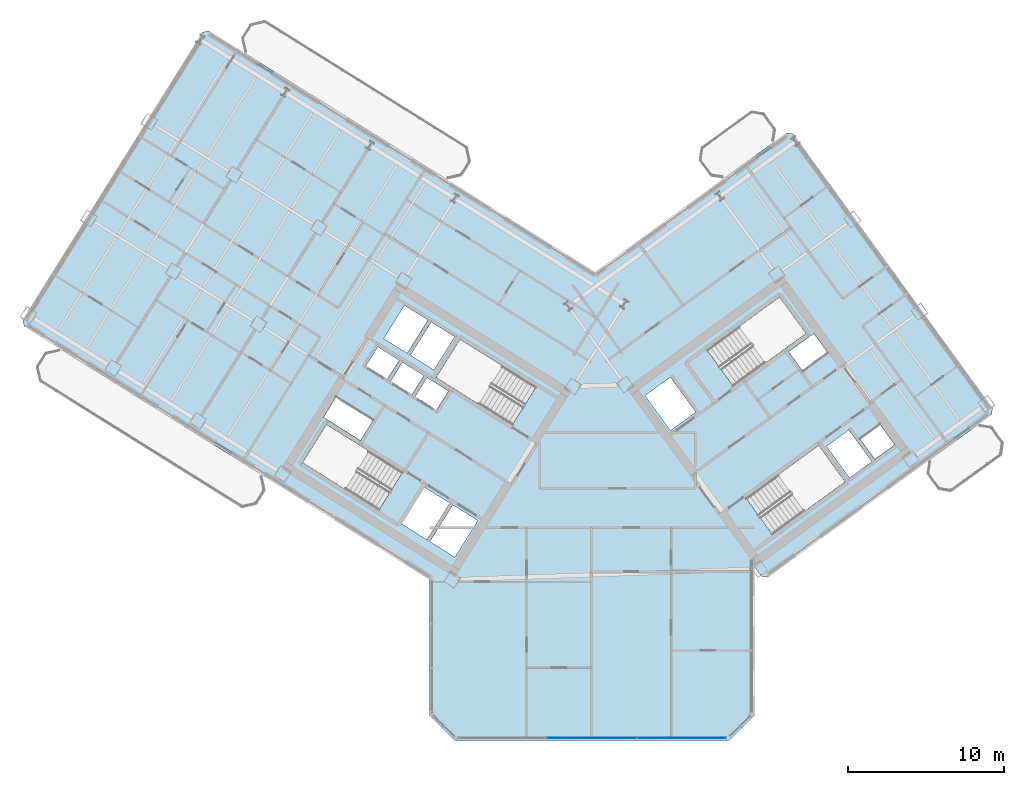
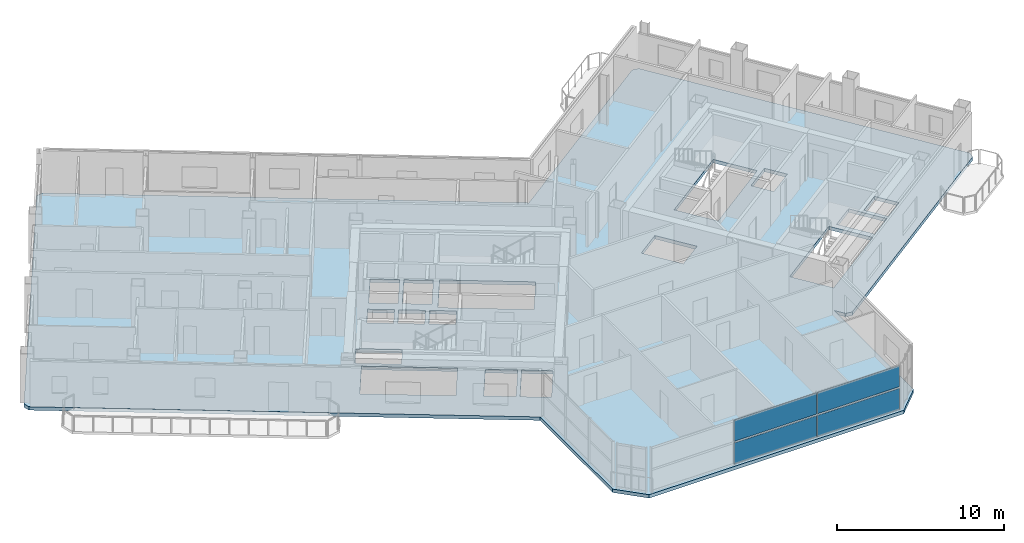
# One storey, part 9 of 21: 4 plates, 1 slab, 1 element without a shape of its own.
"""IFC4 building model written with IfcOpenShell, lengths in metres."""

from ifc_helpers import new_model, si_unit, direction, frame, origin, origin_2d, place, context, subcontext, project, spatial, polyline, rectangle, outline, extrude, source, transform, mapped, material, layer, layer_set, type_object, element, aggregate, save


model = new_model("IFC4")

# Units and contexts
model_context = context("Model", 3, precision=1e-05, world=origin(), true_north=direction((0.0, 1.0)))
body_context = subcontext(model_context, "Body", "Model", "MODEL_VIEW")
ifc_project = project(units=[si_unit("LENGTHUNIT", "METRE"), si_unit("AREAUNIT", "SQUARE_METRE"), si_unit("VOLUMEUNIT", "CUBIC_METRE"), si_unit("PLANEANGLEUNIT", "RADIAN"), si_unit("MASSUNIT", "GRAM", prefix="KILO")], contexts=[model_context])

# Site, building, storey
site_placement = place(None, origin())
site = spatial("IfcSite", under=ifc_project, at=site_placement, CompositionType="ELEMENT")
building_placement = place(site_placement, origin())
building = spatial("IfcBuilding", under=site, at=building_placement, Name="Tlacorven Tower", CompositionType="ELEMENT")
storey_placement = place(building_placement, frame((0.0, 0.0, 191.39990234375)))
storey = spatial("IfcBuildingStorey", under=building, at=storey_placement, Name="L48", CompositionType="ELEMENT", Elevation=191.39990234375)

# Slab
ifc_material_1 = material(Name="Concrete C40/50", Category="concrete")
ifc_layer_1 = layer(ifc_material_1, 0.25)
ifc_layer_set_1 = layer_set([ifc_layer_1], Name="Concrete C40/50")
slab_type = type_object("IfcSlabType", Name="SL-TWR-250", PredefinedType="FLOOR", material=ifc_layer_set_1)
slab_placement = place(storey_placement, frame((0.0, 0.0, -0.25)))
element("IfcSlab", 1, at=slab_placement, inside=storey, type_object=slab_type, Name="L48 Boomerang Tower Floor Slab", PredefinedType="FLOOR", context=body_context, shape_type="SweptSolid", body=[
    extrude(outline(polyline([(52.39990234375, 3.39990234375), (50.800048828125, 1.800048828125), (33.199951171875, 1.800048828125), (31.60009765625, 3.39990234375), (31.60009765625, 12.09423828125), (5.62451171875, 28.32568359375), (5.529052734375, 28.739013671875), (17.0390625, 47.15869140625), (17.452392578125, 47.254150390625), (42.19970703125, 31.790283203125), (54.481689453125, 40.713623046875), (54.90087890625, 40.647216796875), (67.66748046875, 23.075439453125), (67.60107421875, 22.656494140625), (53.265380859375, 12.24072265625), (52.846435546875, 12.30712890625), (52.39990234375, 12.921630859375), (52.39990234375, 3.39990234375)]), holes=[polyline([(29.865478515625, 18.979736328125), (24.9892578125, 22.02685546875), (23.463134765625, 19.58447265625), (28.33935546875, 16.537353515625), (29.865478515625, 18.979736328125)]), polyline([(38.4169921875, 24.4375), (33.540771484375, 27.484375), (32.0146484375, 25.0419921875), (36.890869140625, 21.9951171875), (38.4169921875, 24.4375)]), polyline([(51.05908203125, 24.481689453125), (55.7109375, 27.861572265625), (54.01806640625, 30.19140625), (49.3662109375, 26.811767578125), (51.05908203125, 24.481689453125)]), polyline([(53.56298828125, 14.978759765625), (58.21484375, 18.3583984375), (56.52197265625, 20.6884765625), (51.8701171875, 17.30859375), (53.56298828125, 14.978759765625)]), polyline([(34.682373046875, 15.87548828125), (33.088134765625, 16.871826171875), (31.62548828125, 14.531005859375), (33.2197265625, 13.534912109375), (34.682373046875, 15.87548828125)]), polyline([(32.884521484375, 16.9990234375), (31.2392578125, 18.02685546875), (29.77685546875, 15.686279296875), (31.421875, 14.658203125), (32.884521484375, 16.9990234375)]), polyline([(47.0234375, 21.648681640625), (48.6416015625, 22.82421875), (47.019287109375, 25.05712890625), (45.401123046875, 23.881591796875), (47.0234375, 21.648681640625)]), polyline([(33.197265625, 27.65185546875), (31.704833984375, 28.58447265625), (30.3798828125, 26.46435546875), (31.87255859375, 25.53173828125), (33.197265625, 27.65185546875)]), polyline([(31.484375, 28.722412109375), (29.99169921875, 29.655029296875), (28.6669921875, 27.534912109375), (30.159423828125, 26.602294921875), (31.484375, 28.722412109375)]), polyline([(32.794921875, 24.17724609375), (31.43798828125, 25.025146484375), (30.685546875, 23.82080078125), (32.042236328125, 22.972900390625), (32.794921875, 24.17724609375)]), polyline([(31.217529296875, 25.162841796875), (29.860595703125, 26.0107421875), (29.108154296875, 24.806396484375), (30.465087890625, 23.958740234375), (31.217529296875, 25.162841796875)]), polyline([(29.64013671875, 26.1484375), (28.283203125, 26.996337890625), (27.53076171875, 25.792236328125), (28.8876953125, 24.9443359375), (29.64013671875, 26.1484375)]), polyline([(58.498779296875, 18.614013671875), (59.922607421875, 19.648681640625), (58.453125, 21.671142578125), (57.029296875, 20.63671875), (58.498779296875, 18.614013671875)]), polyline([(27.96142578125, 22.2919921875), (25.603759765625, 23.76513671875), (24.80908203125, 22.4931640625), (27.16650390625, 21.02001953125), (27.96142578125, 22.2919921875)]), polyline([(55.490478515625, 25.4765625), (57.092529296875, 26.640380859375), (56.210693359375, 27.85400390625), (54.60888671875, 26.690185546875), (55.490478515625, 25.4765625)]), polyline([(60.12109375, 19.817626953125), (61.38330078125, 20.734619140625), (60.45458984375, 22.012939453125), (59.192626953125, 21.095947265625), (60.12109375, 19.817626953125)])]), origin(), (0.0, 0.0, 1.0), 0.25),
])

# Curtain wall, plates
ifc_material_2 = material(Name="Dark solar low-E double glazing in aluminium frame", Category="aluminium")
curtain_wall_type = type_object("IfcCurtainWallType", Name="CW-TWR-MID", PredefinedType="USERDEFINED", material=ifc_material_2)
curtain_wall_placement = place(storey_placement, origin())
curtain_wall = element("IfcCurtainWall", 2, at=curtain_wall_placement, inside=storey, type_object=curtain_wall_type, Name="L48 CW-TWR-MID Curtain Wall 221", ObjectType="UNITISED CURTAIN WALL", PredefinedType="USERDEFINED")
ifc_material_3 = material(Name="High-wind dark solar tempered low-E glazing", Category="glass")
ifc_layer_2 = layer(ifc_material_3, 0.028076171875)
ifc_layer_set_2 = layer_set([ifc_layer_2], Name="High-wind dark solar tempered low-E glazing")
plate_type = type_object("IfcPlateType", Name="CWP-03", PredefinedType="CURTAIN_PANEL", material=ifc_layer_set_2)
shared_shape_1 = source(origin(), body_context, "Body", "SweptSolid", [
    extrude(rectangle(XDim=5.67626953125, YDim=0.028076171875, at=origin_2d()), origin(), (0.0, 0.0, 1.0), 1.5380859375),
])
plate_1_placement = place(storey_placement, frame((47.739501953125, 1.9599609375, 0.06103515625), z_axis=(0.0, 0.0, 1.0), x_axis=(-1.0, 0.0, 0.0)))
plate_1 = element("IfcPlate", 3, at=plate_1_placement, type_object=plate_type, Name="CW-L48-221 Glazing Panel 1", PredefinedType="CURTAIN_PANEL", context=body_context, shape_type="MappedRepresentation", body=[
    mapped(shared_shape_1, transform((0.0, 0.0, 0.0), scale=1.0)),
])
plate_2_placement = place(storey_placement, frame((47.739501953125, 1.9599609375, 1.720947265625), z_axis=(0.0, 0.0, 1.0), x_axis=(-1.0, 0.0, 0.0)))
plate_2 = element("IfcPlate", 4, at=plate_2_placement, type_object=plate_type, Name="CW-L48-221 Glazing Panel 2", PredefinedType="CURTAIN_PANEL", context=body_context, shape_type="MappedRepresentation", body=[
    mapped(shared_shape_1, transform((0.0, 0.0, 0.0), scale=1.0)),
])
shared_shape_2 = source(origin(), body_context, "Body", "SweptSolid", [
    extrude(rectangle(XDim=5.708740234375, YDim=0.028076171875, at=origin_2d()), origin(), (0.0, 0.0, 1.0), 1.5380859375),
])
plate_3_placement = place(storey_placement, frame((42.0, 1.9599609375, 0.06103515625), z_axis=(0.0, 0.0, 1.0), x_axis=(-1.0, 0.0, 0.0)))
plate_3 = element("IfcPlate", 5, at=plate_3_placement, type_object=plate_type, Name="CW-L48-221 Glazing Panel 3", PredefinedType="CURTAIN_PANEL", context=body_context, shape_type="MappedRepresentation", body=[
    mapped(shared_shape_2, transform((0.0, 0.0, 0.0), scale=1.0)),
])
plate_4_placement = place(storey_placement, frame((42.0, 1.9599609375, 1.720947265625), z_axis=(0.0, 0.0, 1.0), x_axis=(-1.0, 0.0, 0.0)))
plate_4 = element("IfcPlate", 6, at=plate_4_placement, type_object=plate_type, Name="CW-L48-221 Glazing Panel 4", PredefinedType="CURTAIN_PANEL", context=body_context, shape_type="MappedRepresentation", body=[
    mapped(shared_shape_2, transform((0.0, 0.0, 0.0), scale=1.0)),
])
aggregate(curtain_wall, [plate_1, plate_2, plate_3, plate_4])

save(model, "model.ifc")
